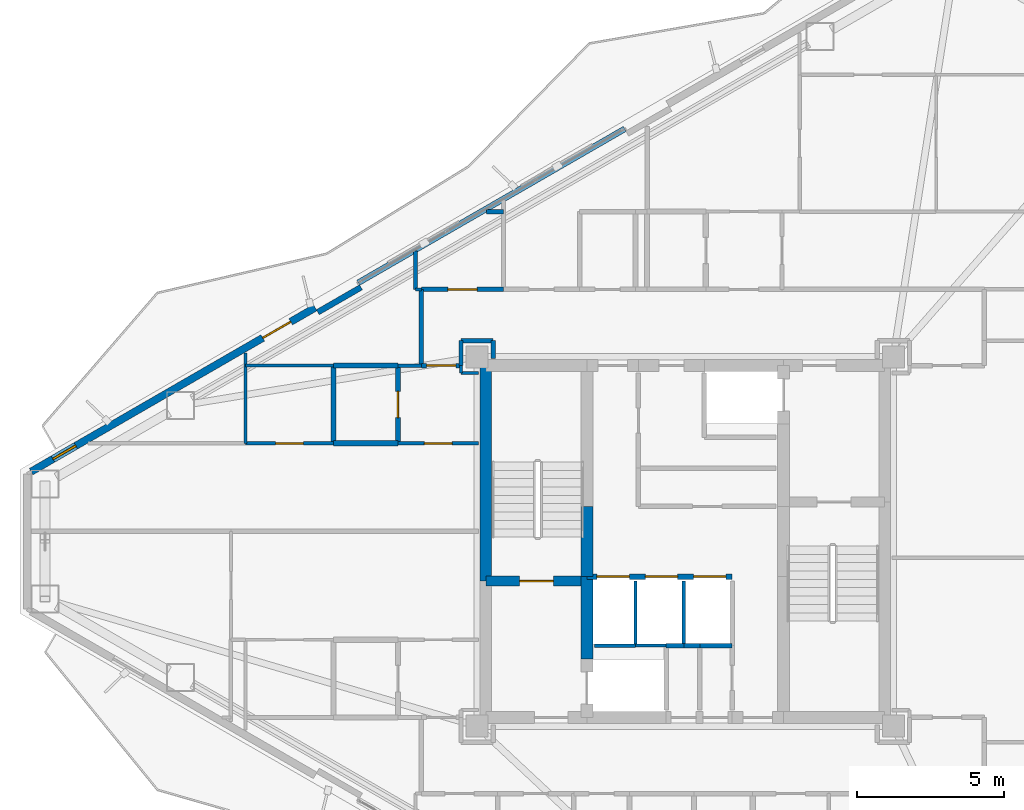
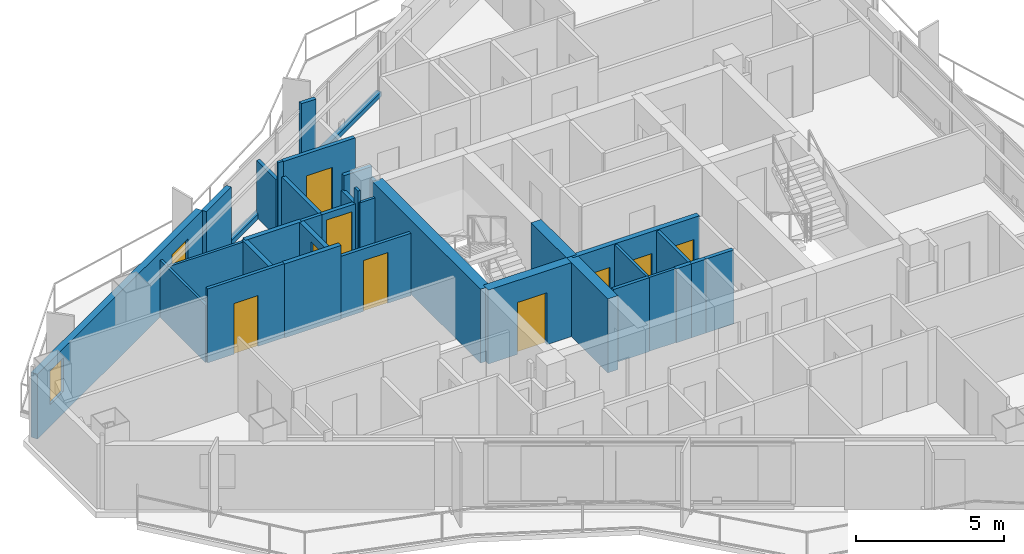
# One storey, part 14 of 19: 35 walls, 10 doors, 1 window, 11 openings.
"""IFC4 building model written with IfcOpenShell, lengths in metres."""

from ifc_helpers import new_model, si_unit, direction, frame, frame_2d, origin, place, context, subcontext, project, spatial, rectangle, extrude, material, layer, layer_set, type_object, element, fill, save


model = new_model("IFC4")

# Units and contexts
model_context = context("Model", 3, precision=1e-05, world=origin(), true_north=direction((0.0, 1.0)))
body_context = subcontext(model_context, "Body", "Model", "MODEL_VIEW")
ifc_project = project(units=[si_unit("LENGTHUNIT", "METRE"), si_unit("AREAUNIT", "SQUARE_METRE"), si_unit("VOLUMEUNIT", "CUBIC_METRE"), si_unit("PLANEANGLEUNIT", "RADIAN"), si_unit("MASSUNIT", "GRAM", prefix="KILO")], contexts=[model_context])

# Site, building, storey
site_placement = place(None, origin())
site = spatial("IfcSite", under=ifc_project, at=site_placement, CompositionType="ELEMENT")
building_placement = place(site_placement, origin())
building = spatial("IfcBuilding", under=site, at=building_placement, Name="Mersakhor Tower and Convention Hall", CompositionType="ELEMENT")
storey_placement = place(building_placement, frame((0.0, 0.0, 141.0)))
storey = spatial("IfcBuildingStorey", under=building, at=storey_placement, Name="L39", CompositionType="ELEMENT", Elevation=141.0)

# Wall, openings, door, window
ifc_material_1 = material(Name="Precast concrete C40/50", Category="concrete")
ifc_layer_1 = layer(ifc_material_1, 0.25)
ifc_layer_set_1 = layer_set([ifc_layer_1], Name="Precast concrete C40/50")
wall_type_1 = type_object("IfcWallType", Name="WL-EXT-250", PredefinedType="SOLIDWALL", material=ifc_layer_set_1)
wall_1_placement = place(storey_placement, frame((6.690185546875, 29.1337890625, 0.0), z_axis=(0.0, 0.0, 1.0), x_axis=(0.866027848477, 0.499995765644, 0.0)))
wall_1 = element("IfcWall", 1, at=wall_1_placement, inside=storey, type_object=wall_type_1, Name="L39 Exterior Facade Wall F1-B1", PredefinedType="SOLIDWALL", context=body_context, shape_type="SweptSolid", body=[
    extrude(rectangle(XDim=11.18603515625, YDim=0.25, at=frame_2d((5.593017578125, 0.0))), origin(), (0.0, 0.0, 1.0), 2.679931640625),
])
opening_1_placement = place(wall_1_placement, frame((9.1220703125, 0.0, 0.0)))
opening_1 = element("IfcOpeningElement", 2, at=opening_1_placement, cuts=wall_1, Name="Opening BD-02", PredefinedType="OPENING", context=body_context, shape_type="SweptSolid", body=[
    extrude(rectangle(XDim=1.10009765625, YDim=2.10009765625, at=frame_2d((0.550048828125, 1.050048828125))), frame((0.0, 0.135009765625, 0.0), z_axis=(0.0, -1.0, 0.0), x_axis=(1.0, 0.0, 0.0)), (0.0, 0.0, 1.0), 0.27001953125),
])
opening_2_placement = place(wall_1_placement, frame((0.860107421875, 0.0, 0.89990234375)))
opening_2 = element("IfcOpeningElement", 3, at=opening_2_placement, cuts=wall_1, Name="Opening W-06", PredefinedType="OPENING", context=body_context, shape_type="SweptSolid", body=[
    extrude(rectangle(XDim=0.89990234375, YDim=1.39990234375, at=frame_2d((0.449951171875, 0.699951171875))), frame((0.0, 0.135009765625, 0.0), z_axis=(0.0, -1.0, 0.0), x_axis=(1.0, 0.0, 0.0)), (0.0, 0.0, 1.0), 0.27001953125),
])
ifc_material_2 = material(Name="Thermally broken dark aluminium and safety glass", Category="aluminium")
door_type_1 = type_object("IfcDoorType", Name="DR-BAL-110x210", OperationType="NOTDEFINED", PredefinedType="DOOR", material=ifc_material_2)
door_1_placement = place(opening_1_placement, origin())
door_1 = element("IfcDoor", 4, at=door_1_placement, inside=storey, type_object=door_type_1, Name="L39 Balcony Terrace Door F1-B1", OperationType="SINGLE_SWING_RIGHT", OverallHeight=2.10009765625, OverallWidth=1.10009765625, PredefinedType="DOOR", context=body_context, shape_type="SweptSolid", body=[
    extrude(rectangle(XDim=1.10009765625, YDim=2.10009765625, at=frame_2d((0.550048828125, 1.050048828125))), frame((0.0, 0.02490234375, 0.0), z_axis=(0.0, -1.0, 0.0), x_axis=(1.0, 0.0, 0.0)), (0.0, 0.0, 1.0), 0.050048828125),
])
fill(opening_1, door_1)
ifc_material_3 = material(Name="Dark solar low-E glazed aluminium window", Category="aluminium")
window_type = type_object("IfcWindowType", Name="WN-STD-090x140", PartitioningType="SINGLE_PANEL", PredefinedType="WINDOW", material=ifc_material_3)
window_placement = place(opening_2_placement, origin())
window = element("IfcWindow", 5, at=window_placement, inside=storey, type_object=window_type, Name="L39 Bedroom Facade Window F1-B1-1", OverallHeight=1.39990234375, OverallWidth=0.89990234375, PartitioningType="SINGLE_PANEL", PredefinedType="WINDOW", context=body_context, shape_type="SweptSolid", body=[
    extrude(rectangle(XDim=0.89990234375, YDim=1.39990234375, at=frame_2d((0.449951171875, 0.699951171875))), frame((0.0, 0.030029296875, 0.0), z_axis=(0.0, -1.0, 0.0), x_axis=(1.0, 0.0, 0.0)), (0.0, 0.0, 1.0), 0.06005859375),
])
fill(opening_2, window)

# Walls
ifc_material_4 = material(Name="Precast concrete C40/50", Category="concrete")
ifc_layer_2 = layer(ifc_material_4, 0.199951171875)
ifc_layer_set_2 = layer_set([ifc_layer_2], Name="Precast concrete C40/50")
wall_type_2 = type_object("IfcWallType", Name="WL-PAR-200", PredefinedType="PARAPET", material=ifc_layer_set_2)
wall_2_placement = place(storey_placement, frame((17.849853515625, 35.57666015625, 0.0), z_axis=(0.0, 0.0, 1.0), x_axis=(0.866026619769, 0.499997893847, 0.0)))
element("IfcWall", 6, at=wall_2_placement, inside=storey, type_object=wall_type_2, Name="L39 Curtain Wall Upstand Sill F1-B2", PredefinedType="PARAPET", context=body_context, shape_type="SweptSolid", body=[
    extrude(rectangle(XDim=10.48583984375, YDim=0.199951171875, at=frame_2d((5.242919921875, 0.0))), origin(), (0.0, 0.0, 1.0), 0.199951171875),
])
wall_3_placement = place(storey_placement, frame((16.467529296875, 34.57080078125, 0.0), z_axis=(0.0, 0.0, 1.0), x_axis=(0.865989465428, 0.500062241894, 0.0)))
element("IfcWall", 7, at=wall_3_placement, inside=storey, type_object=wall_type_2, Name="L39 Column Pier Cladding Wall F1-C1", PredefinedType="PARAPET", context=body_context, shape_type="SweptSolid", body=[
    extrude(rectangle(XDim=1.699951171875, YDim=0.199951171875, at=frame_2d((0.85009765625, 0.0))), origin(), (0.0, 0.0, 1.0), 2.679931640625),
])

# Wall, opening, door
ifc_material_5 = material(Name="Moisture-resistant acoustic drywall studwork", Category="other")
ifc_layer_3 = layer(ifc_material_5, 0.175048828125)
ifc_layer_set_3 = layer_set([ifc_layer_3], Name="Moisture-resistant acoustic drywall studwork")
wall_type_3 = type_object("IfcWallType", Name="WL-PLM-175", PredefinedType="PLUMBINGWALL", material=ifc_layer_set_3)
wall_4_placement = place(storey_placement, frame((19.199951171875, 30.10009765625, 0.0), z_axis=(0.0, 0.0, 1.0), x_axis=(0.0, 1.0, 0.0)))
wall_4 = element("IfcWall", 8, at=wall_4_placement, inside=storey, type_object=wall_type_3, Name="L39 Interior Partition Wall P-060", PredefinedType="PLUMBINGWALL", context=body_context, shape_type="SweptSolid", body=[
    extrude(rectangle(XDim=2.64990234375, YDim=0.175048828125, at=frame_2d((1.324951171875, 0.0))), origin(), (0.0, 0.0, 1.0), 2.432861328125),
])
opening_3_placement = place(wall_4_placement, frame((0.875, 0.0, 0.0)))
opening_3 = element("IfcOpeningElement", 9, at=opening_3_placement, cuts=wall_4, Name="Opening WD-01", PredefinedType="OPENING", context=body_context, shape_type="SweptSolid", body=[
    extrude(rectangle(XDim=0.89990234375, YDim=2.10009765625, at=frame_2d((0.449951171875, 1.050048828125))), frame((0.0, 0.097412109375, 0.0), z_axis=(0.0, -1.0, 0.0), x_axis=(1.0, 0.0, 0.0)), (0.0, 0.0, 1.0), 0.195068359375),
])
ifc_material_6 = material(Name="Solid-core hardwood leaf in painted steel frame", Category="steel")
door_type_2 = type_object("IfcDoorType", Name="DR-INT-WET-090x210", OperationType="NOTDEFINED", PredefinedType="DOOR", material=ifc_material_6)
door_2_placement = place(opening_3_placement, origin())
door_2 = element("IfcDoor", 10, at=door_2_placement, inside=storey, type_object=door_type_2, Name="L39 L39 Flat W5 Apartment Hall to L39 Flat W5 Bathroom Door", OperationType="SINGLE_SWING_RIGHT", OverallHeight=2.10009765625, OverallWidth=0.89990234375, PredefinedType="DOOR", context=body_context, shape_type="SweptSolid", body=[
    extrude(rectangle(XDim=0.89990234375, YDim=2.10009765625, at=frame_2d((0.449951171875, 1.050048828125))), frame((0.0, 0.02490234375, 0.0), z_axis=(0.0, -1.0, 0.0), x_axis=(1.0, 0.0, 0.0)), (0.0, 0.0, 1.0), 0.050048828125),
])
fill(opening_3, door_2)

# Walls
wall_5_placement = place(storey_placement, frame((17.0, 32.75, 0.0), z_axis=(0.0, 0.0, 1.0), x_axis=(1.0, 0.0, 0.0)))
element("IfcWall", 11, at=wall_5_placement, inside=storey, type_object=wall_type_3, Name="L39 Interior Partition Wall P-085", PredefinedType="PLUMBINGWALL", context=body_context, shape_type="SweptSolid", body=[
    extrude(rectangle(XDim=2.199951171875, YDim=0.175048828125, at=frame_2d((1.10009765625, 0.0))), origin(), (0.0, 0.0, 1.0), 2.432861328125),
])
wall_6_placement = place(storey_placement, frame((19.199951171875, 30.10009765625, 0.0), z_axis=(0.0, 0.0, 1.0), x_axis=(-1.0, 0.0, 0.0)))
element("IfcWall", 12, at=wall_6_placement, inside=storey, type_object=wall_type_3, Name="L39 Interior Partition Wall P-086", PredefinedType="PLUMBINGWALL", context=body_context, shape_type="SweptSolid", body=[
    extrude(rectangle(XDim=2.199951171875, YDim=0.175048828125, at=frame_2d((1.10009765625, 0.0))), origin(), (0.0, 0.0, 1.0), 3.06005859375),
])
wall_7_placement = place(storey_placement, frame((17.0, 30.10009765625, 0.0), z_axis=(0.0, 0.0, 1.0), x_axis=(0.0, 1.0, 0.0)))
element("IfcWall", 13, at=wall_7_placement, inside=storey, type_object=wall_type_3, Name="L39 Interior Partition Wall P-087", PredefinedType="PLUMBINGWALL", context=body_context, shape_type="SweptSolid", body=[
    extrude(rectangle(XDim=2.64990234375, YDim=0.175048828125, at=frame_2d((1.324951171875, 0.0))), origin(), (0.0, 0.0, 1.0), 2.432861328125),
])
ifc_material_7 = material(Name="Lightweight gypsum partition", Category="other")
ifc_layer_4 = layer(ifc_material_7, 0.10009765625)
ifc_layer_set_4 = layer_set([ifc_layer_4], Name="Lightweight gypsum partition")
wall_type_4 = type_object("IfcWallType", Name="WL-PRT-100", PredefinedType="PARTITIONING", material=ifc_layer_set_4)
wall_8_placement = place(storey_placement, frame((27.300048828125, 23.199951171875, 0.0), z_axis=(0.0, 0.0, 1.0), x_axis=(1.0, 0.0, 0.0)))
element("IfcWall", 14, at=wall_8_placement, inside=storey, type_object=wall_type_4, Name="L39 Interior Partition Wall P-002", PredefinedType="PARTITIONING", context=body_context, shape_type="SweptSolid", body=[
    extrude(rectangle(XDim=1.050048828125, YDim=0.10009765625, at=frame_2d((0.52490234375, 0.0))), origin(), (0.0, 0.0, 1.0), 3.06005859375),
])
wall_9_placement = place(storey_placement, frame((27.300048828125, 25.39990234375, 0.0), z_axis=(0.0, 0.0, 1.0), x_axis=(0.0, -1.0, 0.0)))
element("IfcWall", 15, at=wall_9_placement, inside=storey, type_object=wall_type_4, Name="L39 Interior Partition Wall P-006", PredefinedType="PARTITIONING", context=body_context, shape_type="SweptSolid", body=[
    extrude(rectangle(XDim=2.199951171875, YDim=0.10009765625, at=frame_2d((1.10009765625, 0.0))), origin(), (0.0, 0.0, 1.0), 3.06005859375),
])
wall_10_placement = place(storey_placement, frame((21.35009765625, 32.5, 0.0), z_axis=(0.0, 0.0, 1.0), x_axis=(1.0, 0.0, 0.0)))
element("IfcWall", 16, at=wall_10_placement, inside=storey, type_object=wall_type_4, Name="L39 Interior Partition Wall P-058", PredefinedType="PARTITIONING", context=body_context, shape_type="SweptSolid", body=[
    extrude(rectangle(XDim=0.599853515625, YDim=0.10009765625, at=frame_2d((0.2998046875, 0.0))), origin(), (0.0, 0.0, 1.0), 2.5849609375),
])
wall_11_placement = place(storey_placement, frame((21.35009765625, 32.75, 0.0), z_axis=(0.0, 0.0, 1.0), x_axis=(0.0, -1.0, 0.0)))
element("IfcWall", 17, at=wall_11_placement, inside=storey, type_object=wall_type_4, Name="L39 Interior Partition Wall P-062", PredefinedType="PARTITIONING", context=body_context, shape_type="SweptSolid", body=[
    extrude(rectangle(XDim=0.25, YDim=0.10009765625, at=frame_2d((0.125, 0.0))), origin(), (0.0, 0.0, 1.0), 3.06005859375),
])
wall_12_placement = place(storey_placement, frame((14.0, 32.75, 0.0), z_axis=(0.0, 0.0, 1.0), x_axis=(1.0, 0.0, 0.0)))
element("IfcWall", 18, at=wall_12_placement, inside=storey, type_object=wall_type_4, Name="L39 Interior Partition Wall P-088", PredefinedType="PARTITIONING", context=body_context, shape_type="SweptSolid", body=[
    extrude(rectangle(XDim=3.0, YDim=0.10009765625, at=frame_2d((1.5, 0.0))), origin(), (0.0, 0.0, 1.0), 2.364990234375),
])
wall_13_placement = place(storey_placement, frame((14.0, 30.10009765625, 0.0), z_axis=(0.0, 0.0, 1.0), x_axis=(0.0, 1.0, 0.0)))
element("IfcWall", 19, at=wall_13_placement, inside=storey, type_object=wall_type_4, Name="L39 Interior Partition Wall P-090", PredefinedType="PARTITIONING", context=body_context, shape_type="SweptSolid", body=[
    extrude(rectangle(XDim=3.081787109375, YDim=0.10009765625, at=frame_2d((1.541015625, 0.0))), origin(), (0.0, 0.0, 1.0), 2.364990234375),
])
wall_14_placement = place(storey_placement, frame((20.0, 35.35009765625, 0.0), z_axis=(0.0, 0.0, 1.0), x_axis=(-1.0, 0.0, 0.0)))
element("IfcWall", 20, at=wall_14_placement, inside=storey, type_object=wall_type_4, Name="L39 Interior Partition Wall P-112", PredefinedType="PARTITIONING", context=body_context, shape_type="SweptSolid", body=[
    extrude(rectangle(XDim=0.199951171875, YDim=0.10009765625, at=frame_2d((0.10009765625, 0.0))), origin(), (0.0, 0.0, 1.0), 3.06005859375),
])
ifc_material_8 = material(Name="Gypsum board acoustic partition", Category="other")
ifc_layer_5 = layer(ifc_material_8, 0.125)
ifc_layer_set_5 = layer_set([ifc_layer_5], Name="Gypsum board acoustic partition")
wall_type_5 = type_object("IfcWallType", Name="WL-PRT-125", PredefinedType="PARTITIONING", material=ifc_layer_set_5)
wall_15_placement = place(storey_placement, frame((25.89990234375, 23.199951171875, 0.0), z_axis=(0.0, 0.0, 1.0), x_axis=(1.0, 0.0, 0.0)))
element("IfcWall", 21, at=wall_15_placement, inside=storey, type_object=wall_type_5, Name="L39 Interior Partition Wall P-001", PredefinedType="PARTITIONING", context=body_context, shape_type="SweptSolid", body=[
    extrude(rectangle(XDim=1.400146484375, YDim=0.125, at=frame_2d((0.7001953125, 0.0))), origin(), (0.0, 0.0, 1.0), 3.06005859375),
])
wall_16_placement = place(storey_placement, frame((28.949951171875, 25.39990234375, 0.0), z_axis=(0.0, 0.0, 1.0), x_axis=(0.0, -1.0, 0.0)))
element("IfcWall", 22, at=wall_16_placement, inside=storey, type_object=wall_type_5, Name="L39 Interior Partition Wall P-007", PredefinedType="PARTITIONING", context=body_context, shape_type="SweptSolid", body=[
    extrude(rectangle(XDim=2.199951171875, YDim=0.125, at=frame_2d((1.10009765625, 0.0))), origin(), (0.0, 0.0, 1.0), 3.06005859375),
])

# Wall, opening, door
wall_17_placement = place(storey_placement, frame((21.949951171875, 30.10009765625, 0.0), z_axis=(0.0, 0.0, 1.0), x_axis=(-1.0, 0.0, 0.0)))
wall_17 = element("IfcWall", 23, at=wall_17_placement, inside=storey, type_object=wall_type_5, Name="L39 Interior Partition Wall P-059", PredefinedType="PARTITIONING", context=body_context, shape_type="SweptSolid", body=[
    extrude(rectangle(XDim=2.75, YDim=0.125, at=frame_2d((1.375, 0.0))), origin(), (0.0, 0.0, 1.0), 2.5849609375),
])
opening_4_placement = place(wall_17_placement, frame((0.89990234375, 0.0, 0.0)))
opening_4 = element("IfcOpeningElement", 24, at=opening_4_placement, cuts=wall_17, Name="Opening RD-01", PredefinedType="OPENING", context=body_context, shape_type="SweptSolid", body=[
    extrude(rectangle(XDim=0.949951171875, YDim=2.10009765625, at=frame_2d((0.47509765625, 1.050048828125))), frame((0.0, 0.072509765625, 0.0), z_axis=(0.0, -1.0, 0.0), x_axis=(1.0, 0.0, 0.0)), (0.0, 0.0, 1.0), 0.14501953125),
])
ifc_material_9 = material(Name="Solid-core hardwood leaf in painted steel frame", Category="steel")
door_type_3 = type_object("IfcDoorType", Name="DR-INT-RM-095x210", OperationType="NOTDEFINED", PredefinedType="DOOR", material=ifc_material_9)
door_3_placement = place(opening_4_placement, origin())
door_3 = element("IfcDoor", 25, at=door_3_placement, inside=storey, type_object=door_type_3, Name="L39 L39 Flat W5 Apartment Hall to L39 Flat W5 Studio Living and Sleeping Room Door", OperationType="SINGLE_SWING_LEFT", OverallHeight=2.10009765625, OverallWidth=0.949951171875, PredefinedType="DOOR", context=body_context, shape_type="SweptSolid", body=[
    extrude(rectangle(XDim=0.949951171875, YDim=2.10009765625, at=frame_2d((0.47509765625, 1.050048828125))), frame((0.0, 0.02490234375, 0.0), z_axis=(0.0, -1.0, 0.0), x_axis=(1.0, 0.0, 0.0)), (0.0, 0.0, 1.0), 0.050048828125),
])
fill(opening_4, door_3)

# Wall
wall_18_placement = place(storey_placement, frame((19.199951171875, 32.75, 0.0), z_axis=(0.0, 0.0, 1.0), x_axis=(1.0, 0.0, 0.0)))
element("IfcWall", 26, at=wall_18_placement, inside=storey, type_object=wall_type_5, Name="L39 Interior Partition Wall P-061", PredefinedType="PARTITIONING", context=body_context, shape_type="SweptSolid", body=[
    extrude(rectangle(XDim=0.800048828125, YDim=0.125, at=frame_2d((0.39990234375, 0.0))), origin(), (0.0, 0.0, 1.0), 2.432861328125),
])

# Wall, opening, door
wall_19_placement = place(storey_placement, frame((17.0, 30.10009765625, 0.0), z_axis=(0.0, 0.0, 1.0), x_axis=(-1.0, 0.0, 0.0)))
wall_19 = element("IfcWall", 27, at=wall_19_placement, inside=storey, type_object=wall_type_5, Name="L39 Interior Partition Wall P-089", PredefinedType="PARTITIONING", context=body_context, shape_type="SweptSolid", body=[
    extrude(rectangle(XDim=3.0, YDim=0.125, at=frame_2d((1.5, 0.0))), origin(), (0.0, 0.0, 1.0), 3.06005859375),
])
opening_5_placement = place(wall_19_placement, frame((1.02490234375, 0.0, 0.0)))
opening_5 = element("IfcOpeningElement", 28, at=opening_5_placement, cuts=wall_19, Name="Opening RD-01", PredefinedType="OPENING", context=body_context, shape_type="SweptSolid", body=[
    extrude(rectangle(XDim=0.949951171875, YDim=2.10009765625, at=frame_2d((0.47509765625, 1.050048828125))), frame((0.0, 0.072509765625, 0.0), z_axis=(0.0, -1.0, 0.0), x_axis=(1.0, 0.0, 0.0)), (0.0, 0.0, 1.0), 0.14501953125),
])
door_4_placement = place(opening_5_placement, origin())
door_4 = element("IfcDoor", 29, at=door_4_placement, inside=storey, type_object=door_type_3, Name="L39 L39 Flat W5 Kitchen to L39 Flat W5 Studio Living and Sleeping Room Door", OperationType="SINGLE_SWING_LEFT", OverallHeight=2.10009765625, OverallWidth=0.949951171875, PredefinedType="DOOR", context=body_context, shape_type="SweptSolid", body=[
    extrude(rectangle(XDim=0.949951171875, YDim=2.10009765625, at=frame_2d((0.47509765625, 1.050048828125))), frame((0.0, 0.02490234375, 0.0), z_axis=(0.0, -1.0, 0.0), x_axis=(1.0, 0.0, 0.0)), (0.0, 0.0, 1.0), 0.050048828125),
])
fill(opening_5, door_4)

# Walls
wall_20_placement = place(storey_placement, frame((19.800048828125, 35.35009765625, 0.0), z_axis=(0.0, 0.0, 1.0), x_axis=(0.0, 1.0, 0.0)))
element("IfcWall", 30, at=wall_20_placement, inside=storey, type_object=wall_type_5, Name="L39 Interior Partition Wall P-113", PredefinedType="PARTITIONING", context=body_context, shape_type="SweptSolid", body=[
    extrude(rectangle(XDim=1.30859375, YDim=0.125, at=frame_2d((0.654296875, 0.0))), origin(), (0.0, 0.0, 1.0), 2.364990234375),
])
ifc_material_10 = material(Name="Fire-rated gypsum board stud partition", Category="other")
ifc_layer_6 = layer(ifc_material_10, 0.14990234375)
ifc_layer_set_6 = layer_set([ifc_layer_6], Name="Fire-rated gypsum board stud partition")
wall_type_6 = type_object("IfcWallType", Name="WL-PRT-150", PredefinedType="PARTITIONING", material=ifc_layer_set_6)
wall_21_placement = place(storey_placement, frame((28.949951171875, 23.199951171875, 0.0), z_axis=(0.0, 0.0, 1.0), x_axis=(-1.0, 0.0, 0.0)))
element("IfcWall", 31, at=wall_21_placement, inside=storey, type_object=wall_type_6, Name="L39 Interior Partition Wall P-008", PredefinedType="PARTITIONING", context=body_context, shape_type="SweptSolid", body=[
    extrude(rectangle(XDim=0.599853515625, YDim=0.14990234375, at=frame_2d((0.2998046875, 0.0))), origin(), (0.0, 0.0, 1.0), 3.06005859375),
])
wall_22_placement = place(storey_placement, frame((30.60009765625, 23.199951171875, 0.0), z_axis=(0.0, 0.0, 1.0), x_axis=(-1.0, 0.0, 0.0)))
element("IfcWall", 32, at=wall_22_placement, inside=storey, type_object=wall_type_6, Name="L39 Interior Partition Wall P-010", PredefinedType="PARTITIONING", context=body_context, shape_type="SweptSolid", body=[
    extrude(rectangle(XDim=1.10009765625, YDim=0.14990234375, at=frame_2d((0.550048828125, 0.0))), origin(), (0.0, 0.0, 1.0), 3.06005859375),
])
wall_23_placement = place(storey_placement, frame((29.5, 23.199951171875, 0.0), z_axis=(0.0, 0.0, 1.0), x_axis=(-1.0, 0.0, 0.0)))
element("IfcWall", 33, at=wall_23_placement, inside=storey, type_object=wall_type_6, Name="L39 Interior Partition Wall P-011", PredefinedType="PARTITIONING", context=body_context, shape_type="SweptSolid", body=[
    extrude(rectangle(XDim=0.550048828125, YDim=0.14990234375, at=frame_2d((0.27490234375, 0.0))), origin(), (0.0, 0.0, 1.0), 3.06005859375),
])
wall_24_placement = place(storey_placement, frame((22.449951171875, 33.0, 0.0), z_axis=(0.0, 0.0, 1.0), x_axis=(0.0, 1.0, 0.0)))
element("IfcWall", 34, at=wall_24_placement, inside=storey, type_object=wall_type_6, Name="L39 Interior Partition Wall P-017", PredefinedType="PARTITIONING", context=body_context, shape_type="SweptSolid", body=[
    extrude(rectangle(XDim=0.60009765625, YDim=0.14990234375, at=frame_2d((0.300048828125, 0.0))), origin(), (0.0, 0.0, 1.0), 2.5849609375),
])
wall_25_placement = place(storey_placement, frame((22.449951171875, 33.60009765625, 0.0), z_axis=(0.0, 0.0, 1.0), x_axis=(-1.0, 0.0, 0.0)))
element("IfcWall", 35, at=wall_25_placement, inside=storey, type_object=wall_type_6, Name="L39 Interior Partition Wall P-018", PredefinedType="PARTITIONING", context=body_context, shape_type="SweptSolid", body=[
    extrude(rectangle(XDim=1.099853515625, YDim=0.14990234375, at=frame_2d((0.5498046875, 0.0))), origin(), (0.0, 0.0, 1.0), 3.06005859375),
])
wall_26_placement = place(storey_placement, frame((21.35009765625, 33.60009765625, 0.0), z_axis=(0.0, 0.0, 1.0), x_axis=(0.0, -1.0, 0.0)))
element("IfcWall", 36, at=wall_26_placement, inside=storey, type_object=wall_type_6, Name="L39 Interior Partition Wall P-019", PredefinedType="PARTITIONING", context=body_context, shape_type="SweptSolid", body=[
    extrude(rectangle(XDim=0.85009765625, YDim=0.14990234375, at=frame_2d((0.425048828125, 0.0))), origin(), (0.0, 0.0, 1.0), 2.432861328125),
])

# Wall, opening, door
wall_27_placement = place(storey_placement, frame((21.35009765625, 32.75, 0.0), z_axis=(0.0, 0.0, 1.0), x_axis=(-1.0, 0.0, 0.0)))
wall_27 = element("IfcWall", 37, at=wall_27_placement, inside=storey, type_object=wall_type_6, Name="L39 Interior Partition Wall P-020", PredefinedType="PARTITIONING", context=body_context, shape_type="SweptSolid", body=[
    extrude(rectangle(XDim=1.35009765625, YDim=0.14990234375, at=frame_2d((0.675048828125, 0.0))), origin(), (0.0, 0.0, 1.0), 2.432861328125),
])
opening_6_placement = place(wall_27_placement, frame((0.175048828125, 0.0, 0.0)))
opening_6 = element("IfcOpeningElement", 38, at=opening_6_placement, cuts=wall_27, Name="Opening FD-01", PredefinedType="OPENING", context=body_context, shape_type="SweptSolid", body=[
    extrude(rectangle(XDim=1.0, YDim=2.14990234375, at=frame_2d((0.5, 1.074951171875))), frame((0.0, 0.0849609375, 0.0), z_axis=(0.0, -1.0, 0.0), x_axis=(1.0, 0.0, 0.0)), (0.0, 0.0, 1.0), 0.169921875),
])
ifc_material_11 = material(Name="Fire-rated hardwood leaf and painted steel frame", Category="steel")
door_type_4 = type_object("IfcDoorType", Name="DR-INT-FLT-100x215", OperationType="NOTDEFINED", PredefinedType="DOOR", material=ifc_material_11)
door_5_placement = place(opening_6_placement, origin())
door_5 = element("IfcDoor", 39, at=door_5_placement, inside=storey, type_object=door_type_4, Name="L39 Apartment Entrance Door (Residential North Gallery Corridor to L39 Flat W5 Apartment Hall)", OperationType="SINGLE_SWING_RIGHT", OverallHeight=2.14990234375, OverallWidth=1.0, PredefinedType="DOOR", context=body_context, shape_type="SweptSolid", body=[
    extrude(rectangle(XDim=1.0, YDim=2.14990234375, at=frame_2d((0.5, 1.074951171875))), frame((0.0, 0.02490234375, 0.0), z_axis=(0.0, -1.0, 0.0), x_axis=(1.0, 0.0, 0.0)), (0.0, 0.0, 1.0), 0.050048828125),
])
fill(opening_6, door_5)

# Wall
wall_28_placement = place(storey_placement, frame((20.0, 32.75, 0.0), z_axis=(0.0, 0.0, 1.0), x_axis=(0.0, 1.0, 0.0)))
element("IfcWall", 40, at=wall_28_placement, inside=storey, type_object=wall_type_6, Name="L39 Interior Partition Wall P-021", PredefinedType="PARTITIONING", context=body_context, shape_type="SweptSolid", body=[
    extrude(rectangle(XDim=2.60009765625, YDim=0.14990234375, at=frame_2d((1.300048828125, 0.0))), origin(), (0.0, 0.0, 1.0), 2.432861328125),
])

# Wall, opening, door
wall_29_placement = place(storey_placement, frame((20.0, 35.35009765625, 0.0), z_axis=(0.0, 0.0, 1.0), x_axis=(1.0, 0.0, 0.0)))
wall_29 = element("IfcWall", 41, at=wall_29_placement, inside=storey, type_object=wall_type_6, Name="L39 Interior Partition Wall P-022", PredefinedType="PARTITIONING", context=body_context, shape_type="SweptSolid", body=[
    extrude(rectangle(XDim=2.800048828125, YDim=0.14990234375, at=frame_2d((1.39990234375, 0.0))), origin(), (0.0, 0.0, 1.0), 3.06005859375),
])
opening_7_placement = place(wall_29_placement, frame((0.89990234375, 0.0, 0.0)))
opening_7 = element("IfcOpeningElement", 42, at=opening_7_placement, cuts=wall_29, Name="Opening FD-01", PredefinedType="OPENING", context=body_context, shape_type="SweptSolid", body=[
    extrude(rectangle(XDim=1.0, YDim=2.14990234375, at=frame_2d((0.5, 1.074951171875))), frame((0.0, 0.0849609375, 0.0), z_axis=(0.0, -1.0, 0.0), x_axis=(1.0, 0.0, 0.0)), (0.0, 0.0, 1.0), 0.169921875),
])
door_6_placement = place(opening_7_placement, origin())
door_6 = element("IfcDoor", 43, at=door_6_placement, inside=storey, type_object=door_type_4, Name="L39 Residential North Gallery Corridor to L39 Floor Shared Tea Pantry 1-3 Door", OperationType="SINGLE_SWING_LEFT", OverallHeight=2.14990234375, OverallWidth=1.0, PredefinedType="DOOR", context=body_context, shape_type="SweptSolid", body=[
    extrude(rectangle(XDim=1.0, YDim=2.14990234375, at=frame_2d((0.5, 1.074951171875))), frame((0.0, 0.02490234375, 0.0), z_axis=(0.0, -1.0, 0.0), x_axis=(1.0, 0.0, 0.0)), (0.0, 0.0, 1.0), 0.050048828125),
])
fill(opening_7, door_6)

# Wall
wall_30_placement = place(storey_placement, frame((22.800048828125, 38.0, 0.0), z_axis=(0.0, 0.0, 1.0), x_axis=(-1.0, 0.0, 0.0)))
element("IfcWall", 44, at=wall_30_placement, inside=storey, type_object=wall_type_6, Name="L39 Interior Partition Wall P-111", PredefinedType="PARTITIONING", context=body_context, shape_type="SweptSolid", body=[
    extrude(rectangle(XDim=0.578857421875, YDim=0.14990234375, at=frame_2d((0.28955078125, 0.0))), origin(), (0.0, 0.0, 1.0), 3.06005859375),
])

# Wall, openings, doors
ifc_material_12 = material(Name="Acoustic concrete blockwork and gypsum board", Category="masonry")
ifc_layer_7 = layer(ifc_material_12, 0.199951171875)
ifc_layer_set_7 = layer_set([ifc_layer_7], Name="Acoustic concrete blockwork and gypsum board")
wall_type_7 = type_object("IfcWallType", Name="WL-PRT-200", PredefinedType="PARTITIONING", material=ifc_layer_set_7)
wall_31_placement = place(storey_placement, frame((25.64990234375, 25.550048828125, 0.0), z_axis=(0.0, 0.0, 1.0), x_axis=(1.0, 0.0, 0.0)))
wall_31 = element("IfcWall", 45, at=wall_31_placement, inside=storey, type_object=wall_type_7, Name="L39 High-Rise Lift Bank Front Wall", PredefinedType="PARTITIONING", context=body_context, shape_type="SweptSolid", body=[
    extrude(rectangle(XDim=4.9501953125, YDim=0.199951171875, at=frame_2d((2.47509765625, 0.0))), origin(), (0.0, 0.0, 1.0), 3.06005859375),
])
opening_8_placement = place(wall_31_placement, frame((0.340087890625, 0.0, 0.0)))
opening_8 = element("IfcOpeningElement", 46, at=opening_8_placement, cuts=wall_31, Name="Opening LD-P4", PredefinedType="OPENING", context=body_context, shape_type="SweptSolid", body=[
    extrude(rectangle(XDim=1.10009765625, YDim=2.14990234375, at=frame_2d((0.550048828125, 1.074951171875))), frame((0.0, 0.10986328125, 0.0), z_axis=(0.0, -1.0, 0.0), x_axis=(1.0, 0.0, 0.0)), (0.0, 0.0, 1.0), 0.219970703125),
])
opening_9_placement = place(wall_31_placement, frame((1.989990234375, 0.0, 0.0)))
opening_9 = element("IfcOpeningElement", 47, at=opening_9_placement, cuts=wall_31, Name="Opening LD-P5", PredefinedType="OPENING", context=body_context, shape_type="SweptSolid", body=[
    extrude(rectangle(XDim=1.10009765625, YDim=2.14990234375, at=frame_2d((0.550048828125, 1.074951171875))), frame((0.0, 0.10986328125, 0.0), z_axis=(0.0, -1.0, 0.0), x_axis=(1.0, 0.0, 0.0)), (0.0, 0.0, 1.0), 0.219970703125),
])
opening_10_placement = place(wall_31_placement, frame((3.639892578125, 0.0, 0.0)))
opening_10 = element("IfcOpeningElement", 48, at=opening_10_placement, cuts=wall_31, Name="Opening LD-P6", PredefinedType="OPENING", context=body_context, shape_type="SweptSolid", body=[
    extrude(rectangle(XDim=1.10009765625, YDim=2.14990234375, at=frame_2d((0.550048828125, 1.074951171875))), frame((0.0, 0.10986328125, 0.0), z_axis=(0.0, -1.0, 0.0), x_axis=(1.0, 0.0, 0.0)), (0.0, 0.0, 1.0), 0.219970703125),
])
ifc_material_13 = material(Name="Fire-rated brushed stainless steel sliding landing door", Category="steel")
door_type_5 = type_object("IfcDoorType", Name="DR-LIFT-SLD-110x215", OperationType="NOTDEFINED", PredefinedType="DOOR", material=ifc_material_13)
door_7_placement = place(opening_8_placement, origin())
door_7 = element("IfcDoor", 49, at=door_7_placement, inside=storey, type_object=door_type_5, Name="L39 Lift Landing Door LD-P4", OperationType="SLIDING_TO_LEFT", OverallHeight=2.14990234375, OverallWidth=1.10009765625, PredefinedType="DOOR", context=body_context, shape_type="SweptSolid", body=[
    extrude(rectangle(XDim=1.10009765625, YDim=2.14990234375, at=frame_2d((0.550048828125, 1.074951171875))), frame((0.0, 0.02490234375, 0.0), z_axis=(0.0, -1.0, 0.0), x_axis=(1.0, 0.0, 0.0)), (0.0, 0.0, 1.0), 0.050048828125),
])
fill(opening_8, door_7)
door_8_placement = place(opening_9_placement, origin())
door_8 = element("IfcDoor", 50, at=door_8_placement, inside=storey, type_object=door_type_5, Name="L39 Lift Landing Door LD-P5", OperationType="SLIDING_TO_LEFT", OverallHeight=2.14990234375, OverallWidth=1.10009765625, PredefinedType="DOOR", context=body_context, shape_type="SweptSolid", body=[
    extrude(rectangle(XDim=1.10009765625, YDim=2.14990234375, at=frame_2d((0.550048828125, 1.074951171875))), frame((0.0, 0.02490234375, 0.0), z_axis=(0.0, -1.0, 0.0), x_axis=(1.0, 0.0, 0.0)), (0.0, 0.0, 1.0), 0.050048828125),
])
fill(opening_9, door_8)
door_9_placement = place(opening_10_placement, origin())
door_9 = element("IfcDoor", 51, at=door_9_placement, inside=storey, type_object=door_type_5, Name="L39 Lift Landing Door LD-P6", OperationType="SLIDING_TO_LEFT", OverallHeight=2.14990234375, OverallWidth=1.10009765625, PredefinedType="DOOR", context=body_context, shape_type="SweptSolid", body=[
    extrude(rectangle(XDim=1.10009765625, YDim=2.14990234375, at=frame_2d((0.550048828125, 1.074951171875))), frame((0.0, 0.02490234375, 0.0), z_axis=(0.0, -1.0, 0.0), x_axis=(1.0, 0.0, 0.0)), (0.0, 0.0, 1.0), 0.050048828125),
])
fill(opening_10, door_9)

# Wall, opening, door
ifc_material_14 = material(Name="Concrete C50/60", Category="concrete")
ifc_layer_8 = layer(ifc_material_14, 0.35009765625)
ifc_layer_set_8 = layer_set([ifc_layer_8], Name="Concrete C50/60")
wall_type_8 = type_object("IfcWallType", Name="WL-SHR-350", PredefinedType="SHEAR", material=ifc_layer_set_8)
wall_32_placement = place(storey_placement, frame((22.199951171875, 25.39990234375, 0.0), z_axis=(0.0, 0.0, 1.0), x_axis=(1.0, 0.0, 0.0)))
wall_32 = element("IfcWall", 52, at=wall_32_placement, inside=storey, type_object=wall_type_8, Name="L39 Core Wall CS-ST1-S", PredefinedType="SHEAR", context=body_context, shape_type="SweptSolid", body=[
    extrude(rectangle(XDim=3.449951171875, YDim=0.35009765625, at=frame_2d((1.72509765625, 0.0))), origin(), (0.0, 0.0, 1.0), 3.06005859375),
])
opening_11_placement = place(wall_32_placement, frame((1.14990234375, 0.0, 0.0)))
opening_11 = element("IfcOpeningElement", 53, at=opening_11_placement, cuts=wall_32, Name="Opening SD-01", PredefinedType="OPENING", context=body_context, shape_type="SweptSolid", body=[
    extrude(rectangle(XDim=1.14990234375, YDim=2.14990234375, at=frame_2d((0.574951171875, 1.074951171875))), frame((0.0, 0.18505859375, 0.0), z_axis=(0.0, -1.0, 0.0), x_axis=(1.0, 0.0, 0.0)), (0.0, 0.0, 1.0), 0.3701171875),
])
ifc_material_15 = material(Name="Fire-rated hardwood leaf and painted steel frame", Category="steel")
door_type_6 = type_object("IfcDoorType", Name="DR-INT-STAIR-115x215", OperationType="NOTDEFINED", PredefinedType="DOOR", material=ifc_material_15)
door_10_placement = place(opening_11_placement, origin())
door_10 = element("IfcDoor", 54, at=door_10_placement, inside=storey, type_object=door_type_6, Name="L39 Exit Stair ST-1 Enclosure Door", OperationType="SINGLE_SWING_LEFT", OverallHeight=2.14990234375, OverallWidth=1.14990234375, PredefinedType="DOOR", context=body_context, shape_type="SweptSolid", body=[
    extrude(rectangle(XDim=1.14990234375, YDim=2.14990234375, at=frame_2d((0.574951171875, 1.074951171875))), frame((0.0, 0.02490234375, 0.0), z_axis=(0.0, -1.0, 0.0), x_axis=(1.0, 0.0, 0.0)), (0.0, 0.0, 1.0), 0.050048828125),
])
fill(opening_11, door_10)

# Walls
ifc_material_16 = material(Name="Concrete C60/75", Category="concrete")
ifc_layer_9 = layer(ifc_material_16, 0.39990234375)
ifc_layer_set_9 = layer_set([ifc_layer_9], Name="Concrete C60/75")
wall_type_9 = type_object("IfcWallType", Name="WL-SHR-400", PredefinedType="SHEAR", material=ifc_layer_set_9)
wall_33_placement = place(storey_placement, frame((22.199951171875, 25.39990234375, 0.0), z_axis=(0.0, 0.0, 1.0), x_axis=(0.0, 1.0, 0.0)))
element("IfcWall", 55, at=wall_33_placement, inside=storey, type_object=wall_type_9, Name="L39 Core Wall CW-W2", PredefinedType="SHEAR", context=body_context, shape_type="SweptSolid", body=[
    extrude(rectangle(XDim=7.35009765625, YDim=0.39990234375, at=frame_2d((3.675048828125, 0.0))), origin(), (0.0, 0.0, 1.0), 3.06005859375),
])
wall_34_placement = place(storey_placement, frame((25.64990234375, 22.75, 0.0), z_axis=(0.0, 0.0, 1.0), x_axis=(0.0, 1.0, 0.0)))
element("IfcWall", 56, at=wall_34_placement, inside=storey, type_object=wall_type_9, Name="L39 Core Wall CS-W-MID", PredefinedType="SHEAR", context=body_context, shape_type="SweptSolid", body=[
    extrude(rectangle(XDim=2.800048828125, YDim=0.39990234375, at=frame_2d((1.39990234375, 0.0))), origin(), (0.0, 0.0, 1.0), 3.06005859375),
])
wall_35_placement = place(storey_placement, frame((25.64990234375, 25.550048828125, 0.0), z_axis=(0.0, 0.0, 1.0), x_axis=(0.0, 1.0, 0.0)))
element("IfcWall", 57, at=wall_35_placement, inside=storey, type_object=wall_type_9, Name="L39 Core Wall CS-W-LOB", PredefinedType="SHEAR", context=body_context, shape_type="SweptSolid", body=[
    extrude(rectangle(XDim=2.39990234375, YDim=0.39990234375, at=frame_2d((1.199951171875, 0.0))), origin(), (0.0, 0.0, 1.0), 3.06005859375),
])

save(model, "model.ifc")
